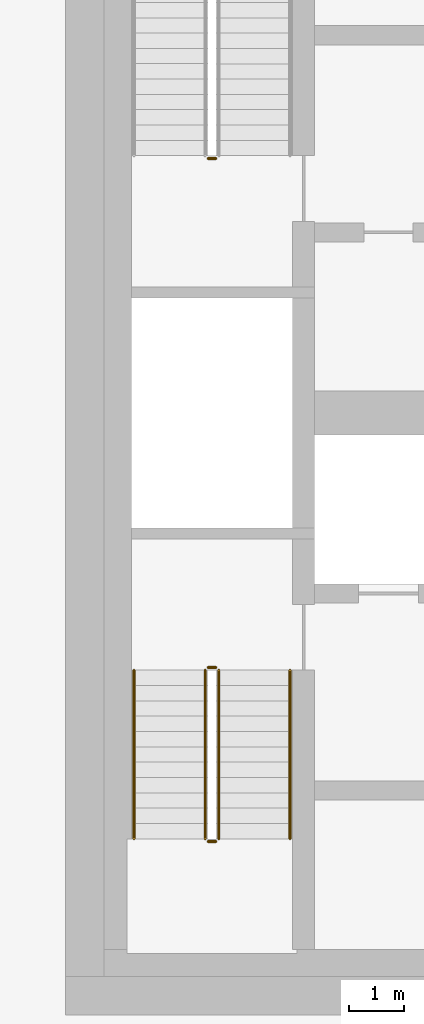
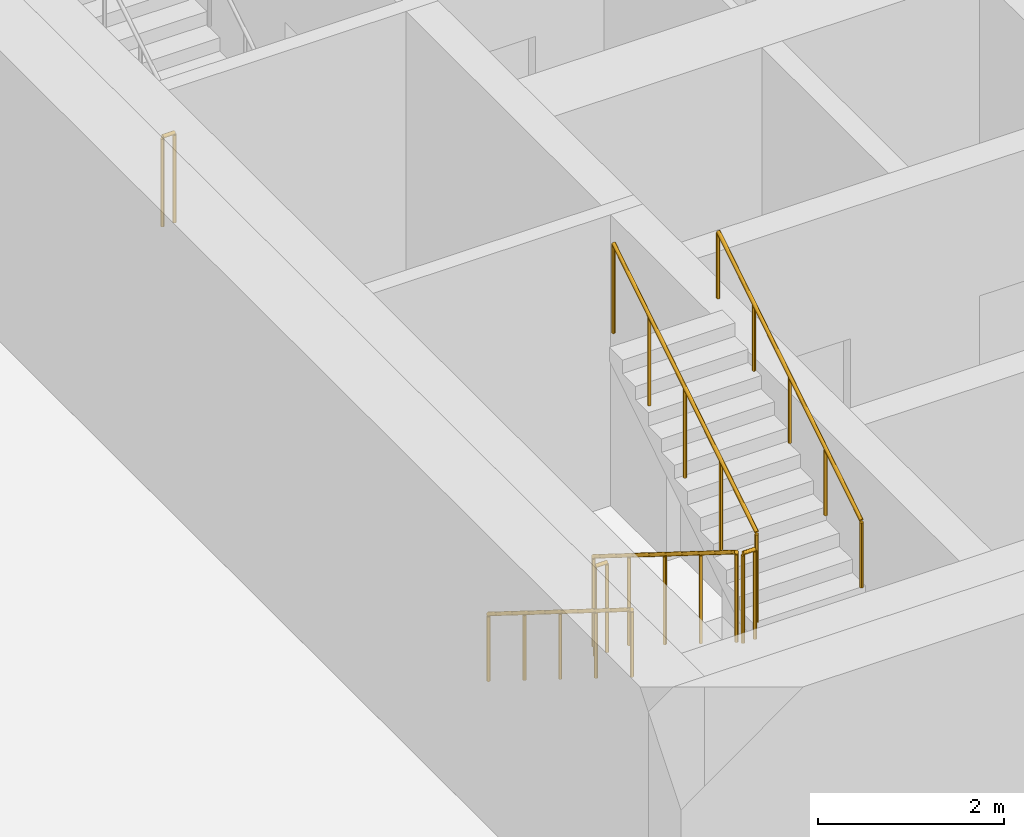
# One storey, part 16 of 21: 7 railings.
"""IFC4 building model written with IfcOpenShell, lengths in metres."""

from ifc_helpers import new_model, si_unit, direction, frame, origin, origin_2d, place, context, subcontext, project, spatial, circle, extrude, material, type_object, element, save


model = new_model("IFC4")

# Units and contexts
model_context = context("Model", 3, precision=1e-05, world=origin(), true_north=direction((0.0, 1.0)))
body_context = subcontext(model_context, "Body", "Model", "MODEL_VIEW")
ifc_project = project(units=[si_unit("LENGTHUNIT", "METRE"), si_unit("AREAUNIT", "SQUARE_METRE"), si_unit("VOLUMEUNIT", "CUBIC_METRE"), si_unit("PLANEANGLEUNIT", "RADIAN"), si_unit("MASSUNIT", "GRAM", prefix="KILO")], contexts=[model_context])

# Site, building, storey
site_placement = place(None, origin())
site = spatial("IfcSite", under=ifc_project, at=site_placement, CompositionType="ELEMENT")
building_placement = place(site_placement, origin())
building = spatial("IfcBuilding", under=site, at=building_placement, Name="Dongbaek Canopy Tower", CompositionType="ELEMENT")
storey_placement = place(building_placement, frame((0.0, 0.0, 274.800048828125)))
storey = spatial("IfcBuildingStorey", under=building, at=storey_placement, Name="L58", CompositionType="ELEMENT", Elevation=274.800048828125)

# Railings
ifc_material_1 = material(Name="Stainless steel tube and balusters", Category="steel")
railing_type_1 = type_object("IfcRailingType", Name="Stair guard 1200", PredefinedType="GUARDRAIL", material=ifc_material_1)
railing_1_placement = place(storey_placement, frame((-11.25, 4.64990234375, 0.0)))
element("IfcRailing", 1, at=railing_1_placement, inside=storey, type_object=railing_type_1, Name="L58 ST-C stair guard 4", PredefinedType="GUARDRAIL", context=body_context, shape_type="SweptSolid", body=[
    extrude(circle(Radius=0.02392578125, at=origin_2d()), frame((0.0, 0.0, 1.17578125), z_axis=(-1.0, 0.0, 0.0), x_axis=(0.0, -1.0, 0.0)), (0.0, 0.0, 1.0), 0.14990234375),
    extrude(circle(Radius=0.02099609375, at=origin_2d()), origin(), (0.0, 0.0, 1.0), 1.15185546875),
    extrude(circle(Radius=0.02099609375, at=origin_2d()), frame((-0.14990234375, 0.0, 0.0)), (0.0, 0.0, 1.0), 1.15185546875),
])
railing_2_placement = place(storey_placement, frame((-11.449951171875, -4.699951171875, 0.175048828125)))
element("IfcRailing", 2, at=railing_2_placement, inside=storey, type_object=railing_type_1, Name="L58 ST-D stair guard 1", PredefinedType="GUARDRAIL", context=body_context, shape_type="SweptSolid", body=[
    extrude(circle(Radius=0.02392578125, at=origin_2d()), frame((0.0, 0.0, 1.17578125), z_axis=(0.0, -0.848028513186, 0.529950602248), x_axis=(1.0, 0.0, 0.0)), (0.0, 0.0, 1.0), 3.632080078125),
    extrude(circle(Radius=0.02099609375, at=origin_2d()), origin(), (0.0, 0.0, 1.0), 1.15185546875),
    extrude(circle(Radius=0.02099609375, at=origin_2d()), frame((0.0, -0.77001953125, 0.481201171875)), (0.0, 0.0, 1.0), 1.15185546875),
    extrude(circle(Radius=0.02099609375, at=origin_2d()), frame((0.0, -1.5400390625, 0.96240234375)), (0.0, 0.0, 1.0), 1.15185546875),
    extrude(circle(Radius=0.02099609375, at=origin_2d()), frame((0.0, -2.31005859375, 1.443603515625)), (0.0, 0.0, 1.0), 1.15185546875),
    extrude(circle(Radius=0.02099609375, at=origin_2d()), frame((0.0, -3.080078125, 1.9248046875)), (0.0, 0.0, 1.0), 1.15185546875),
])
railing_3_placement = place(storey_placement, frame((-11.39990234375, -7.830078125, 2.099853515625)))
element("IfcRailing", 3, at=railing_3_placement, inside=storey, type_object=railing_type_1, Name="L58 ST-D stair guard 2", PredefinedType="GUARDRAIL", context=body_context, shape_type="SweptSolid", body=[
    extrude(circle(Radius=0.02392578125, at=origin_2d()), frame((0.0, 0.0, 1.17578125), z_axis=(1.0, 0.0, 0.0), x_axis=(0.0, 1.0, 0.0)), (0.0, 0.0, 1.0), 0.14990234375),
    extrude(circle(Radius=0.02099609375, at=origin_2d()), origin(), (0.0, 0.0, 1.0), 1.15185546875),
    extrude(circle(Radius=0.02099609375, at=origin_2d()), frame((0.14990234375, 0.0, 0.0)), (0.0, 0.0, 1.0), 1.15185546875),
])
railing_4_placement = place(storey_placement, frame((-11.199951171875, -7.780029296875, 2.27490234375)))
element("IfcRailing", 4, at=railing_4_placement, inside=storey, type_object=railing_type_1, Name="L58 ST-D stair guard 3", PredefinedType="GUARDRAIL", context=body_context, shape_type="SweptSolid", body=[
    extrude(circle(Radius=0.02392578125, at=origin_2d()), frame((0.0, 0.0, 1.17578125), z_axis=(0.0, 0.847998304005, 0.529998940003), x_axis=(-1.0, 0.0, 0.0)), (0.0, 0.0, 1.0), 3.632080078125),
    extrude(circle(Radius=0.02099609375, at=origin_2d()), origin(), (0.0, 0.0, 1.0), 1.15185546875),
    extrude(circle(Radius=0.02099609375, at=origin_2d()), frame((0.0, 0.77001953125, 0.481201171875)), (0.0, 0.0, 1.0), 1.15185546875),
    extrude(circle(Radius=0.02099609375, at=origin_2d()), frame((0.0, 1.5400390625, 0.96240234375)), (0.0, 0.0, 1.0), 1.15185546875),
    extrude(circle(Radius=0.02099609375, at=origin_2d()), frame((0.0, 2.31005859375, 1.44384765625)), (0.0, 0.0, 1.0), 1.15185546875),
    extrude(circle(Radius=0.02099609375, at=origin_2d()), frame((0.0, 3.080078125, 1.925048828125)), (0.0, 0.0, 1.0), 1.15185546875),
])
railing_5_placement = place(storey_placement, frame((-11.39990234375, -4.64990234375, 0.0)))
element("IfcRailing", 5, at=railing_5_placement, inside=storey, type_object=railing_type_1, Name="L58 ST-D stair guard 4", PredefinedType="GUARDRAIL", context=body_context, shape_type="SweptSolid", body=[
    extrude(circle(Radius=0.02392578125, at=origin_2d()), frame((0.0, 0.0, 1.17578125), z_axis=(1.0, 0.0, 0.0), x_axis=(0.0, 1.0, 0.0)), (0.0, 0.0, 1.0), 0.14990234375),
    extrude(circle(Radius=0.02099609375, at=origin_2d()), origin(), (0.0, 0.0, 1.0), 1.15185546875),
    extrude(circle(Radius=0.02099609375, at=origin_2d()), frame((0.14990234375, 0.0, 0.0)), (0.0, 0.0, 1.0), 1.15185546875),
])
ifc_material_2 = material(Name="Stainless steel tube", Category="steel")
railing_type_2 = type_object("IfcRailingType", Name="Stair handrail 900", PredefinedType="HANDRAIL", material=ifc_material_2)
railing_6_placement = place(storey_placement, frame((-12.75, -4.699951171875, 0.175048828125)))
element("IfcRailing", 6, at=railing_6_placement, inside=storey, type_object=railing_type_2, Name="L58 ST-D stair handrail 1", PredefinedType="HANDRAIL", context=body_context, shape_type="SweptSolid", body=[
    extrude(circle(Radius=0.02392578125, at=origin_2d()), frame((0.0, 0.0, 0.8759765625), z_axis=(0.0, -0.848028513186, 0.529950602248), x_axis=(1.0, 0.0, 0.0)), (0.0, 0.0, 1.0), 3.632080078125),
    extrude(circle(Radius=0.02099609375, at=origin_2d()), origin(), (0.0, 0.0, 1.0), 0.851806640625),
    extrude(circle(Radius=0.02099609375, at=origin_2d()), frame((0.0, -0.77001953125, 0.481201171875)), (0.0, 0.0, 1.0), 0.851806640625),
    extrude(circle(Radius=0.02099609375, at=origin_2d()), frame((0.0, -1.5400390625, 0.96240234375)), (0.0, 0.0, 1.0), 0.851806640625),
    extrude(circle(Radius=0.02099609375, at=origin_2d()), frame((0.0, -2.31005859375, 1.443603515625)), (0.0, 0.0, 1.0), 0.851806640625),
    extrude(circle(Radius=0.02099609375, at=origin_2d()), frame((0.0, -3.080078125, 1.9248046875)), (0.0, 0.0, 1.0), 0.851806640625),
])
railing_7_placement = place(storey_placement, frame((-9.89990234375, -7.780029296875, 2.27490234375)))
element("IfcRailing", 7, at=railing_7_placement, inside=storey, type_object=railing_type_2, Name="L58 ST-D stair handrail 2", PredefinedType="HANDRAIL", context=body_context, shape_type="SweptSolid", body=[
    extrude(circle(Radius=0.02392578125, at=origin_2d()), frame((0.0, 0.0, 0.8759765625), z_axis=(0.0, 0.847998304005, 0.529998940003), x_axis=(-1.0, 0.0, 0.0)), (0.0, 0.0, 1.0), 3.632080078125),
    extrude(circle(Radius=0.02099609375, at=origin_2d()), origin(), (0.0, 0.0, 1.0), 0.851806640625),
    extrude(circle(Radius=0.02099609375, at=origin_2d()), frame((0.0, 0.77001953125, 0.481201171875)), (0.0, 0.0, 1.0), 0.851806640625),
    extrude(circle(Radius=0.02099609375, at=origin_2d()), frame((0.0, 1.5400390625, 0.96240234375)), (0.0, 0.0, 1.0), 0.851806640625),
    extrude(circle(Radius=0.02099609375, at=origin_2d()), frame((0.0, 2.31005859375, 1.44384765625)), (0.0, 0.0, 1.0), 0.851806640625),
    extrude(circle(Radius=0.02099609375, at=origin_2d()), frame((0.0, 3.080078125, 1.925048828125)), (0.0, 0.0, 1.0), 0.851806640625),
])

save(model, "model.ifc")
